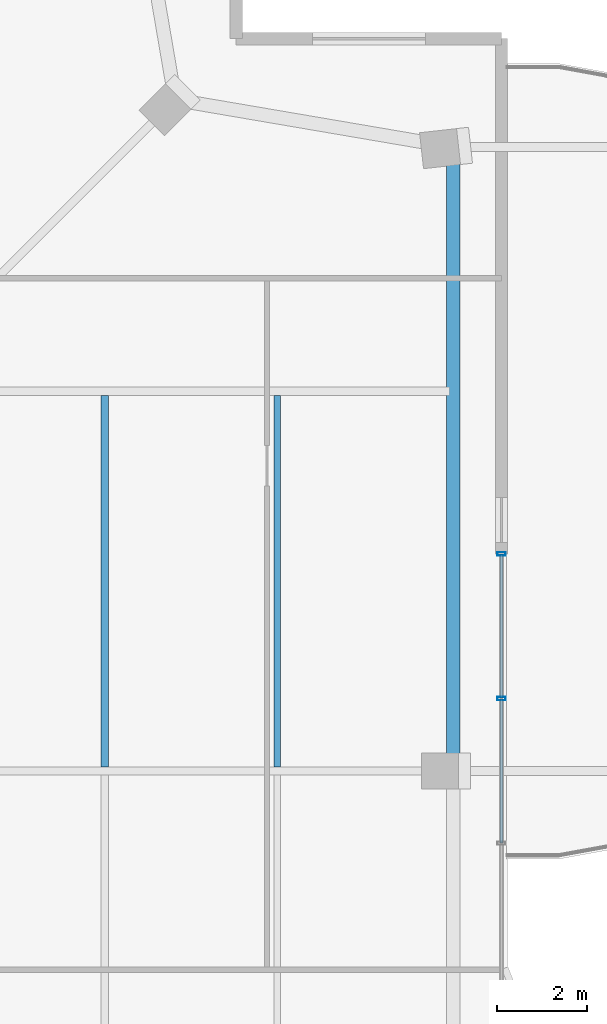
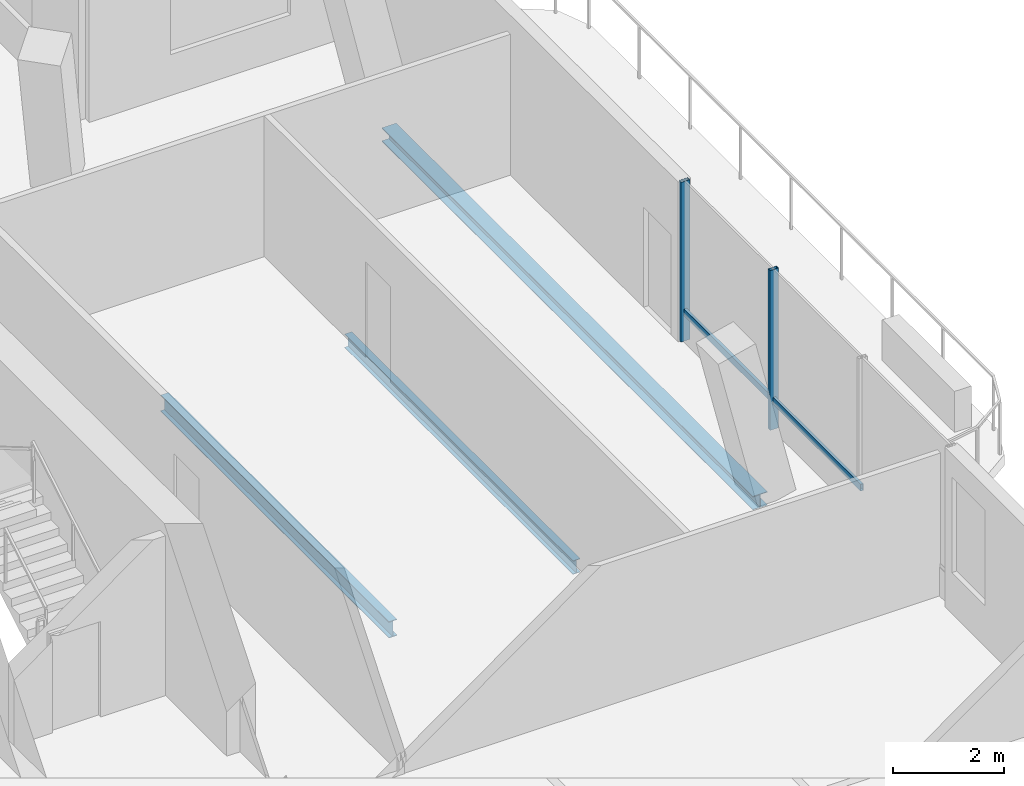
# One storey, part 9 of 19: 4 members, 3 beams, 1 element without a shape of its own.
"""IFC4 building model written with IfcOpenShell, lengths in metres."""

from ifc_helpers import new_model, si_unit, direction, frame, origin, origin_2d, place, context, subcontext, project, spatial, hollow_rectangle, i_section, extrude, material, layer, layer_set, material_profile, profile_set, type_object, element, aggregate, save


model = new_model("IFC4")

# Units and contexts
model_context = context("Model", 3, precision=1e-05, world=origin(), true_north=direction((0.0, 1.0)))
body_context = subcontext(model_context, "Body", "Model", "MODEL_VIEW")
ifc_project = project(units=[si_unit("LENGTHUNIT", "METRE"), si_unit("AREAUNIT", "SQUARE_METRE"), si_unit("VOLUMEUNIT", "CUBIC_METRE"), si_unit("PLANEANGLEUNIT", "RADIAN"), si_unit("MASSUNIT", "GRAM", prefix="KILO")], contexts=[model_context])

# Site, building, storey
site_placement = place(None, origin())
site = spatial("IfcSite", under=ifc_project, at=site_placement, CompositionType="ELEMENT")
building_placement = place(site_placement, origin())
building = spatial("IfcBuilding", under=site, at=building_placement, Name="Belovzor Exchange Tower", CompositionType="ELEMENT")
storey_placement = place(building_placement, frame((0.0, 0.0, 340.5)))
storey = spatial("IfcBuildingStorey", under=building, at=storey_placement, Name="L85", CompositionType="ELEMENT", Elevation=340.5)

# Beams
ifc_material_1 = material(Name="Steel S355", Category="steel")
ifc_material_profile_1 = material_profile(ifc_material_1, i_section(OverallWidth=0.169921875, OverallDepth=0.360107421875, WebThickness=0.008056640625, FlangeThickness=0.0126953125, at=origin_2d()))
ifc_profile_set_1 = profile_set([ifc_material_profile_1], Name="Steel S355")
beam_type_1 = type_object("IfcBeamType", Name="Secondary Infill Floor Joist IPE 360", PredefinedType="BEAM", material=ifc_profile_set_1)
beam_1_placement = place(storey_placement, frame((42.093017578125, 28.889892578125, -0.419921875), z_axis=(0.0, 1.0, 0.0), x_axis=(-1.0, 0.0, 0.0)))
element("IfcBeam", 1, at=beam_1_placement, inside=storey, type_object=beam_type_1, Name="FJ-360 Secondary Infill Floor Joist IPE 360", PredefinedType="BEAM", context=body_context, shape_type="SweptSolid", body=[
    extrude(i_section(OverallWidth=0.169921875, OverallDepth=0.360107421875, WebThickness=0.008056640625, FlangeThickness=0.0126953125, at=origin_2d()), origin(), (0.0, 0.0, 1.0), 8.22021484375),
])
ifc_material_2 = material(Name="Steel S355", Category="steel")
ifc_material_profile_2 = material_profile(ifc_material_2, i_section(OverallWidth=0.14990234375, OverallDepth=0.300048828125, WebThickness=0.007080078125, FlangeThickness=0.0107421875, at=origin_2d()))
ifc_profile_set_2 = profile_set([ifc_material_profile_2], Name="Steel S355")
beam_type_2 = type_object("IfcBeamType", Name="Secondary Trim Floor Joist IPE 300", PredefinedType="BEAM", material=ifc_profile_set_2)
beam_2_placement = place(storey_placement, frame((45.908935546875, 28.889892578125, -0.389892578125), z_axis=(0.0, 1.0, 0.0), x_axis=(-1.0, 0.0, 0.0)))
element("IfcBeam", 2, at=beam_2_placement, inside=storey, type_object=beam_type_2, Name="FJ-300 Secondary Trim Floor Joist IPE 300", PredefinedType="BEAM", context=body_context, shape_type="SweptSolid", body=[
    extrude(i_section(OverallWidth=0.14990234375, OverallDepth=0.300048828125, WebThickness=0.007080078125, FlangeThickness=0.0107421875, at=origin_2d()), origin(), (0.0, 0.0, 1.0), 8.22021484375),
])

# Curtain wall, members
ifc_material_3 = material(Name="Anodised Aluminium Framing", Category="aluminium")
ifc_layer = layer(ifc_material_3, 0.179931640625)
ifc_layer_set = layer_set([ifc_layer], Name="Anodised Aluminium Framing")
curtain_wall_type = type_object("IfcCurtainWallType", Name="Recessed Loggia Low-Iron Triple-Glazed Curtain Wall", PredefinedType="NOTDEFINED", material=ifc_layer_set)
curtain_wall_placement = place(storey_placement, origin())
curtain_wall = element("IfcCurtainWall", 3, at=curtain_wall_placement, inside=storey, type_object=curtain_wall_type, Name="CW3 Recessed Loggia Low-Iron Triple-Glazed Curtain Wall L85", PredefinedType="NOTDEFINED")
ifc_material_4 = material(Name="Steel S355", Category="steel")
ifc_material_profile_3 = material_profile(ifc_material_4, hollow_rectangle(XDim=0.074951171875, YDim=0.179931640625, WallThickness=0.0048828125, at=origin_2d()))
ifc_profile_set_3 = profile_set([ifc_material_profile_3], Name="Steel S355")
member_type_1 = type_object("IfcMemberType", Name="Thermally Broken Curtain Wall Mullion 180x75", PredefinedType="MULLION", material=ifc_profile_set_3)
member_1_placement = place(storey_placement, frame((50.8701171875, 33.60009765625, 0.0), z_axis=(0.0, 0.0, 1.0), x_axis=(0.0, -1.0, 0.0)))
member_1 = element("IfcMember", 4, at=member_1_placement, type_object=member_type_1, Name="CW-M180 Curtain Wall Mullion 1", PredefinedType="MULLION", context=body_context, shape_type="SweptSolid", body=[
    extrude(hollow_rectangle(XDim=0.074951171875, YDim=0.179931640625, WallThickness=0.0048828125, at=origin_2d()), origin(), (0.0, 0.0, 1.0), 3.510009765625),
])
member_2_placement = place(storey_placement, frame((50.8701171875, 30.39990234375, 0.0), z_axis=(0.0, 0.0, 1.0), x_axis=(0.0, -1.0, 0.0)))
member_2 = element("IfcMember", 5, at=member_2_placement, type_object=member_type_1, Name="CW-M180 Curtain Wall Mullion 2", PredefinedType="MULLION", context=body_context, shape_type="SweptSolid", body=[
    extrude(hollow_rectangle(XDim=0.074951171875, YDim=0.179931640625, WallThickness=0.0048828125, at=origin_2d()), origin(), (0.0, 0.0, 1.0), 3.510009765625),
])
ifc_material_5 = material(Name="Steel S355", Category="steel")
ifc_material_profile_4 = material_profile(ifc_material_5, hollow_rectangle(XDim=0.06005859375, YDim=0.14990234375, WallThickness=0.00390625, at=origin_2d()))
ifc_profile_set_4 = profile_set([ifc_material_profile_4], Name="Steel S355")
member_type_2 = type_object("IfcMemberType", Name="Thermally Broken Curtain Wall Transom 150x60", PredefinedType="USERDEFINED", material=ifc_profile_set_4)
member_3_placement = place(storey_placement, frame((50.8701171875, 33.592041015625, 0.632080078125), z_axis=(0.0, -1.0, 0.0), x_axis=(1.0, 0.0, 0.0)))
member_3 = element("IfcMember", 6, at=member_3_placement, type_object=member_type_2, Name="CW-T150 Curtain Wall Transom 1", ObjectType="TRANSOM", PredefinedType="USERDEFINED", context=body_context, shape_type="SweptSolid", body=[
    extrude(hollow_rectangle(XDim=0.06005859375, YDim=0.14990234375, WallThickness=0.00390625, at=origin_2d()), origin(), (0.0, 0.0, 1.0), 3.18408203125),
])
member_4_placement = place(storey_placement, frame((50.8701171875, 30.39208984375, 0.632080078125), z_axis=(0.0, -1.0, 0.0), x_axis=(1.0, 0.0, 0.0)))
member_4 = element("IfcMember", 7, at=member_4_placement, type_object=member_type_2, Name="CW-T150 Curtain Wall Transom 2", ObjectType="TRANSOM", PredefinedType="USERDEFINED", context=body_context, shape_type="SweptSolid", body=[
    extrude(hollow_rectangle(XDim=0.06005859375, YDim=0.14990234375, WallThickness=0.00390625, at=origin_2d()), origin(), (0.0, 0.0, 1.0), 3.18408203125),
])
aggregate(curtain_wall, [member_1, member_2, member_3, member_4])

# Beam
ifc_material_6 = material(Name="Steel S355", Category="steel")
ifc_material_profile_5 = material_profile(ifc_material_6, i_section(OverallWidth=0.300048828125, OverallDepth=0.300048828125, WebThickness=0.008544921875, FlangeThickness=0.013916015625, at=origin_2d()))
ifc_profile_set_5 = profile_set([ifc_material_profile_5], Name="Steel S355")
beam_type_3 = type_object("IfcBeamType", Name="Zone 6 Primary Girder HEA 300", PredefinedType="BEAM", material=ifc_profile_set_5)
beam_3_placement = place(storey_placement, frame((49.800048828125, 29.02001953125, -0.389892578125), z_axis=(0.0, 1.0, 0.0), x_axis=(-1.0, 0.0, 0.0)))
element("IfcBeam", 8, at=beam_3_placement, inside=storey, type_object=beam_type_3, Name="FG-Z6 Zone 6 Primary Girder HEA 300", PredefinedType="BEAM", context=body_context, shape_type="SweptSolid", body=[
    extrude(i_section(OverallWidth=0.300048828125, OverallDepth=0.300048828125, WebThickness=0.008544921875, FlangeThickness=0.013916015625, at=origin_2d()), origin(), (0.0, 0.0, 1.0), 13.35986328125),
])

save(model, "model.ifc")
